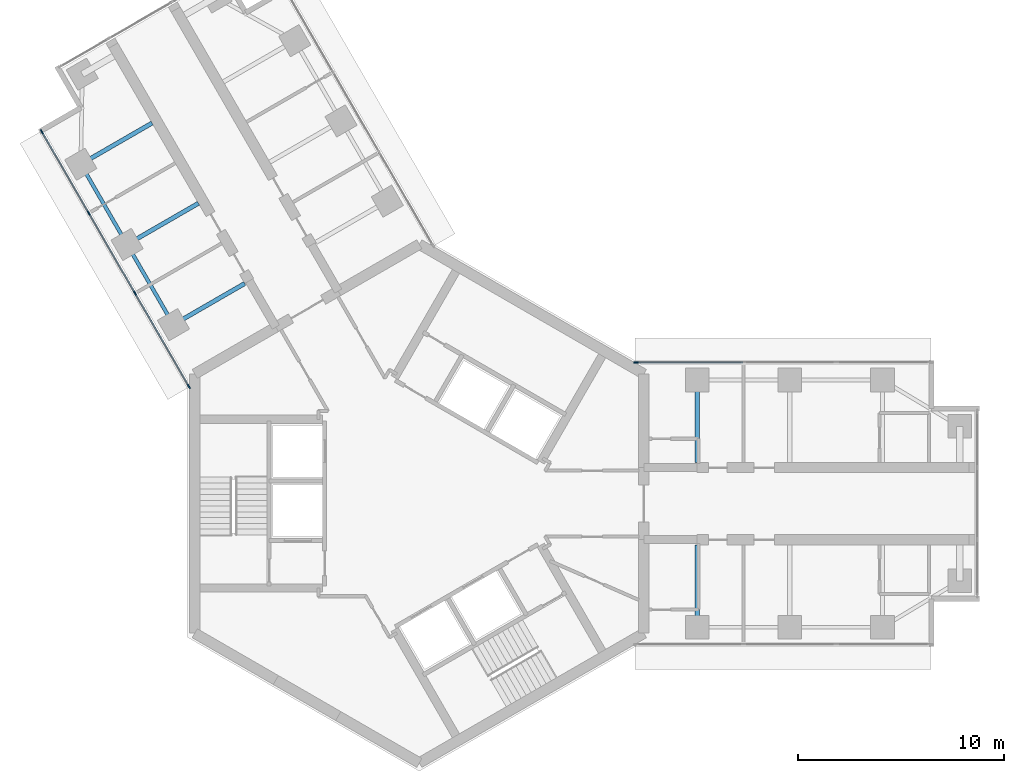
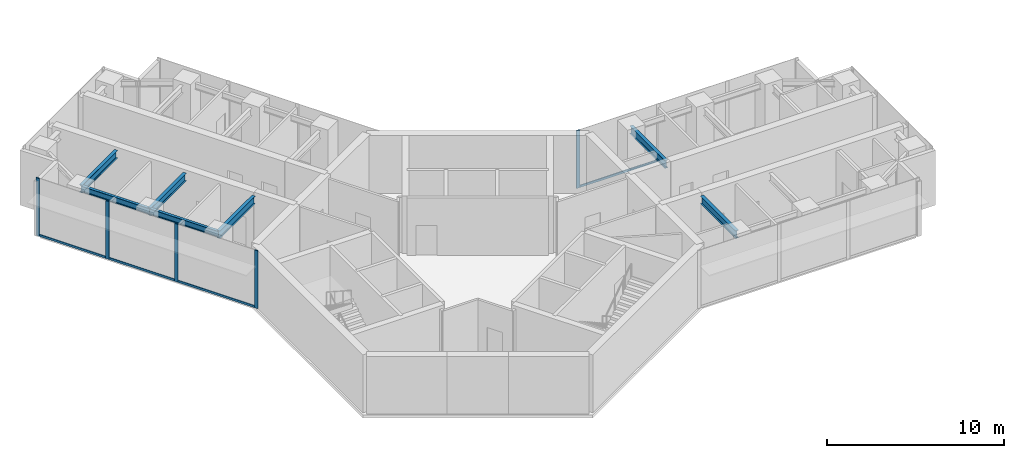
# One storey, part 5 of 17: 9 members, 7 beams, 2 elements without a shape of their own.
"""IFC4 building model written with IfcOpenShell, lengths in metres."""

from ifc_helpers import new_model, si_unit, direction, frame, origin, origin_2d, place, context, subcontext, project, spatial, rectangle, i_section, extrude, material, material_profile, profile_set, type_object, element, aggregate, save


model = new_model("IFC4")

# Units and contexts
model_context = context("Model", 3, precision=1e-05, world=origin(), true_north=direction((0.0, 1.0)))
body_context = subcontext(model_context, "Body", "Model", "MODEL_VIEW")
ifc_project = project(units=[si_unit("LENGTHUNIT", "METRE"), si_unit("AREAUNIT", "SQUARE_METRE"), si_unit("VOLUMEUNIT", "CUBIC_METRE"), si_unit("PLANEANGLEUNIT", "RADIAN"), si_unit("MASSUNIT", "GRAM", prefix="KILO")], contexts=[model_context])

# Site, building, storey
site_placement = place(None, origin())
site = spatial("IfcSite", under=ifc_project, at=site_placement, CompositionType="ELEMENT")
building_placement = place(site_placement, origin())
building = spatial("IfcBuilding", under=site, at=building_placement, Name="Upepo Twin Towers", CompositionType="ELEMENT")
storey_placement = place(building_placement, frame((0.0, 0.0, 202.5)))
storey = spatial("IfcBuildingStorey", under=building, at=storey_placement, Name="L49", CompositionType="ELEMENT", Elevation=202.5)

# Beams
ifc_material_1 = material(Name="Steel S355", Category="steel")
ifc_material_profile_1 = material_profile(ifc_material_1, i_section(OverallWidth=0.177978515625, OverallDepth=0.406494140625, WebThickness=0.0078125, FlangeThickness=0.0126953125, FilletRadius=0.01025390625, at=origin_2d()), Name="UB 406x178x60")
ifc_profile_set_1 = profile_set([ifc_material_profile_1], Name="Steel S355")
beam_type_1 = type_object("IfcBeamType", Name="Beam UB 406x178x60", PredefinedType="BEAM", material=ifc_profile_set_1)
beam_1_placement = place(storey_placement, frame((-11.946044921875, 8.69140625, 3.5966796875), z_axis=(-0.500013631625, 0.866017533419, 0.0), x_axis=(-0.866017533419, -0.500013631625, 0.0)))
element("IfcBeam", 1, at=beam_1_placement, inside=storey, type_object=beam_type_1, Name="T1 edge beam BL 13.5-18.0", PredefinedType="BEAM", context=body_context, shape_type="SweptSolid", body=[
    extrude(i_section(OverallWidth=0.177978515625, OverallDepth=0.406494140625, WebThickness=0.0078125, FlangeThickness=0.0126953125, FilletRadius=0.01025390625, at=origin_2d()), origin(), (0.0, 0.0, 1.0), 4.499755859375),
])
beam_2_placement = place(storey_placement, frame((-14.196044921875, 12.58837890625, 3.5966796875), z_axis=(-0.499990139034, 0.866031096941, 0.0), x_axis=(-0.866031096941, -0.499990139034, 0.0)))
element("IfcBeam", 2, at=beam_2_placement, inside=storey, type_object=beam_type_1, Name="T1 edge beam BL 18.0-22.5", PredefinedType="BEAM", context=body_context, shape_type="SweptSolid", body=[
    extrude(i_section(OverallWidth=0.177978515625, OverallDepth=0.406494140625, WebThickness=0.0078125, FlangeThickness=0.0126953125, FilletRadius=0.01025390625, at=origin_2d()), origin(), (0.0, 0.0, 1.0), 4.5),
])
ifc_material_2 = material(Name="Steel S355", Category="steel")
ifc_material_profile_2 = material_profile(ifc_material_2, i_section(OverallWidth=0.209228515625, OverallDepth=0.533203125, WebThickness=0.010009765625, FlangeThickness=0.015625, FilletRadius=0.0126953125, at=origin_2d()), Name="UB 533x210x92")
ifc_profile_set_2 = profile_set([ifc_material_profile_2], Name="Steel S355")
beam_type_2 = type_object("IfcBeamType", Name="Beam UB 533x210x92", PredefinedType="BEAM", material=ifc_profile_set_2)
for number, where, z_axis, x_axis, name in (
    (3, (13.5, 6.0, 3.533447265625), (0.0, -1.0, 0.0), (1.0, 0.0, 0.0), "T1 girder AL at 13.5"),
    (4, (13.5, -6.0, 3.533447265625), (0.0, 1.0, 0.0), (-1.0, 0.0, 0.0), "T1 girder AR at 13.5"),
    (5, (-11.946044921875, 8.69140625, 3.533447265625), (0.866026010844, 0.49999894854, 0.0), (-0.49999894854, 0.866026010844, 0.0), "T1 girder BL at 13.5"),
    (6, (-14.196044921875, 12.58837890625, 3.533447265625), (0.866026010844, 0.49999894854, 0.0), (-0.49999894854, 0.866026010844, 0.0), "T1 girder BL at 18.0"),
    (7, (-16.446044921875, 16.485595703125, 3.533447265625), (0.866026010844, 0.49999894854, 0.0), (-0.49999894854, 0.866026010844, 0.0), "T1 girder BL at 22.5"),
):
    element("IfcBeam", number, at=place(storey_placement, frame(where, z_axis=z_axis, x_axis=x_axis)), inside=storey, type_object=beam_type_2, Name=name, PredefinedType="BEAM", context=body_context, shape_type="SweptSolid", body=[
        extrude(i_section(OverallWidth=0.209228515625, OverallDepth=0.533203125, WebThickness=0.010009765625, FlangeThickness=0.015625, FilletRadius=0.0126953125, at=origin_2d()), origin(), (0.0, 0.0, 1.0), 4.0),
    ])

# Curtain wall, member
ifc_material_3 = material(Name="Aluminium and fritted glass", Category="aluminium")
curtain_wall_type = type_object("IfcCurtainWallType", Name="Tower curtain wall TW3, fritted glass", PredefinedType="NOTDEFINED", material=ifc_material_3)
curtain_wall_1_placement = place(storey_placement, origin())
curtain_wall_1 = element("IfcCurtainWall", 8, at=curtain_wall_1_placement, inside=storey, type_object=curtain_wall_type, Name="T1 L49 wing A flank L curtain wall", PredefinedType="NOTDEFINED")
ifc_material_4 = material(Name="Aluminium mullion", Category="aluminium")
ifc_material_profile_3 = material_profile(ifc_material_4, rectangle(XDim=0.06494140625, YDim=0.22509765625, at=origin_2d()), Name="MULLION 65x225")
ifc_profile_set_3 = profile_set([ifc_material_profile_3], Name="Aluminium mullion")
member_type_1 = type_object("IfcMemberType", Name="Mullion 65x225 TW3", PredefinedType="MULLION", material=ifc_profile_set_3)
member_1_placement = place(storey_placement, frame((10.51953125, 6.85009765625, 0.0), z_axis=(0.0, 0.0, 1.0), x_axis=(0.0, 1.0, 0.0)))
member_1 = element("IfcMember", 9, at=member_1_placement, type_object=member_type_1, Name="T1 L49 wing A flank L curtain wall mullion 1", PredefinedType="MULLION", context=body_context, shape_type="SweptSolid", body=[
    extrude(rectangle(XDim=0.06494140625, YDim=0.22509765625, at=origin_2d()), origin(), (0.0, 0.0, 1.0), 4.0),
])

# Curtain wall, members
curtain_wall_2_placement = place(storey_placement, origin())
curtain_wall_2 = element("IfcCurtainWall", 10, at=curtain_wall_2_placement, inside=storey, type_object=curtain_wall_type, Name="T1 L49 wing B flank L curtain wall", PredefinedType="NOTDEFINED")
member_2_placement = place(storey_placement, frame((-11.192138671875, 5.685302734375, 0.0), z_axis=(0.0, 0.0, 1.0), x_axis=(-0.866025388469, -0.500000026527, 0.0)))
member_2 = element("IfcMember", 11, at=member_2_placement, type_object=member_type_1, Name="T1 L49 wing B flank L curtain wall mullion 1", PredefinedType="MULLION", context=body_context, shape_type="SweptSolid", body=[
    extrude(rectangle(XDim=0.06494140625, YDim=0.22509765625, at=origin_2d()), origin(), (0.0, 0.0, 1.0), 4.0),
])
member_3_placement = place(storey_placement, frame((-13.807373046875, 10.21484375, 0.0), z_axis=(0.0, 0.0, 1.0), x_axis=(-0.866025388469, -0.500000026527, 0.0)))
member_3 = element("IfcMember", 12, at=member_3_placement, type_object=member_type_1, Name="T1 L49 wing B flank L curtain wall mullion 2", PredefinedType="MULLION", context=body_context, shape_type="SweptSolid", body=[
    extrude(rectangle(XDim=0.06494140625, YDim=0.22509765625, at=origin_2d()), origin(), (0.0, 0.0, 1.0), 4.0),
])
member_4_placement = place(storey_placement, frame((-16.057373046875, 14.112060546875, 0.0), z_axis=(0.0, 0.0, 1.0), x_axis=(-0.866025388469, -0.500000026527, 0.0)))
member_4 = element("IfcMember", 13, at=member_4_placement, type_object=member_type_1, Name="T1 L49 wing B flank L curtain wall mullion 3", PredefinedType="MULLION", context=body_context, shape_type="SweptSolid", body=[
    extrude(rectangle(XDim=0.06494140625, YDim=0.22509765625, at=origin_2d()), origin(), (0.0, 0.0, 1.0), 4.0),
])
member_5_placement = place(storey_placement, frame((-18.341064453125, 18.067626953125, 0.0), z_axis=(0.0, 0.0, 1.0), x_axis=(-0.866025388469, -0.500000026527, 0.0)))
member_5 = element("IfcMember", 14, at=member_5_placement, type_object=member_type_1, Name="T1 L49 wing B flank L curtain wall mullion 4", PredefinedType="MULLION", context=body_context, shape_type="SweptSolid", body=[
    extrude(rectangle(XDim=0.06494140625, YDim=0.22509765625, at=origin_2d()), origin(), (0.0, 0.0, 1.0), 4.0),
])

# Member
ifc_material_5 = material(Name="Aluminium transom", Category="aluminium")
ifc_material_profile_4 = material_profile(ifc_material_5, rectangle(XDim=0.06494140625, YDim=0.14990234375, at=origin_2d()), Name="TRANSOM 65x150")
ifc_profile_set_4 = profile_set([ifc_material_profile_4], Name="Aluminium transom")
member_type_2 = type_object("IfcMemberType", Name="Transom 65x150 TW3", PredefinedType="USERDEFINED", material=ifc_profile_set_4)
member_6_placement = place(storey_placement, frame((10.552001953125, 6.85009765625, 0.074951171875), z_axis=(1.0, 0.0, 0.0), x_axis=(0.0, 1.0, 0.0)))
member_6 = element("IfcMember", 15, at=member_6_placement, type_object=member_type_2, Name="T1 L49 wing A flank L curtain wall transom 1", ObjectType="TRANSOM", PredefinedType="USERDEFINED", context=body_context, shape_type="SweptSolid", body=[
    extrude(rectangle(XDim=0.06494140625, YDim=0.14990234375, at=origin_2d()), origin(), (0.0, 0.0, 1.0), 5.16552734375),
])

aggregate(curtain_wall_1, [member_1, member_6])

member_7_placement = place(storey_placement, frame((-11.208251953125, 5.71337890625, 0.074951171875), z_axis=(-0.500007480159, 0.86602108507, 0.0), x_axis=(-0.86602108507, -0.500007480159, 0.0)))
member_7 = element("IfcMember", 16, at=member_7_placement, type_object=member_type_2, Name="T1 L49 wing B flank L curtain wall transom 1", ObjectType="TRANSOM", PredefinedType="USERDEFINED", context=body_context, shape_type="SweptSolid", body=[
    extrude(rectangle(XDim=0.06494140625, YDim=0.14990234375, at=origin_2d()), origin(), (0.0, 0.0, 1.0), 5.16552734375),
])

member_8_placement = place(storey_placement, frame((-13.823486328125, 10.2431640625, 0.074951171875), z_axis=(-0.500005184116, 0.866022410713, 0.0), x_axis=(-0.866022410713, -0.500005184116, 0.0)))
member_8 = element("IfcMember", 17, at=member_8_placement, type_object=member_type_2, Name="T1 L49 wing B flank L curtain wall transom 2", ObjectType="TRANSOM", PredefinedType="USERDEFINED", context=body_context, shape_type="SweptSolid", body=[
    extrude(rectangle(XDim=0.06494140625, YDim=0.14990234375, at=origin_2d()), origin(), (0.0, 0.0, 1.0), 4.43505859375),
])

member_9_placement = place(storey_placement, frame((-16.073486328125, 14.14013671875, 0.074951171875), z_axis=(-0.499982167615, 0.866035699072, 0.0), x_axis=(-0.866035699072, -0.499982167615, 0.0)))
member_9 = element("IfcMember", 18, at=member_9_placement, type_object=member_type_2, Name="T1 L49 wing B flank L curtain wall transom 3", ObjectType="TRANSOM", PredefinedType="USERDEFINED", context=body_context, shape_type="SweptSolid", body=[
    extrude(rectangle(XDim=0.06494140625, YDim=0.14990234375, at=origin_2d()), origin(), (0.0, 0.0, 1.0), 4.502685546875),
])

aggregate(curtain_wall_2, [member_2, member_3, member_4, member_5, member_7, member_8, member_9])

save(model, "model.ifc")
